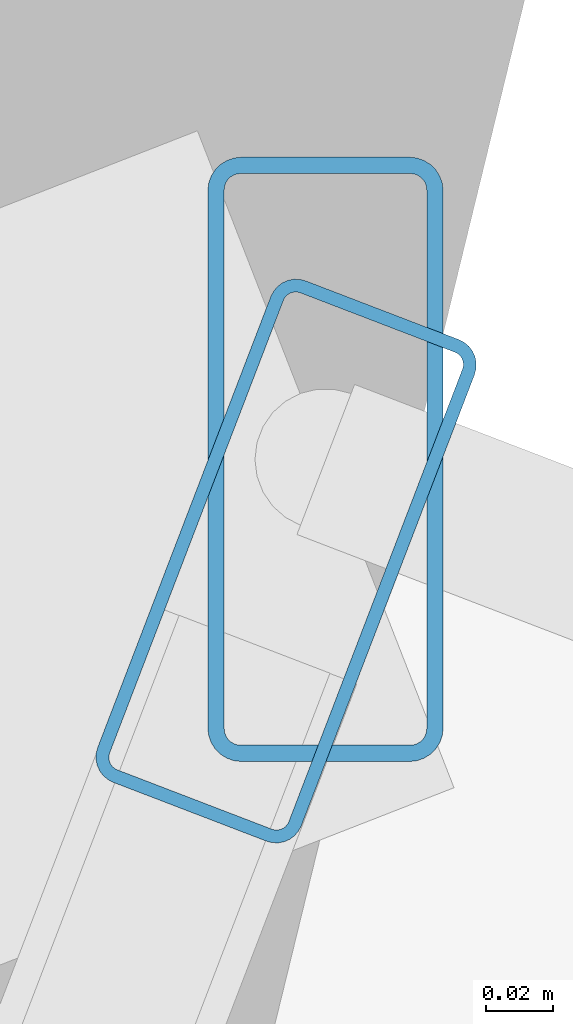
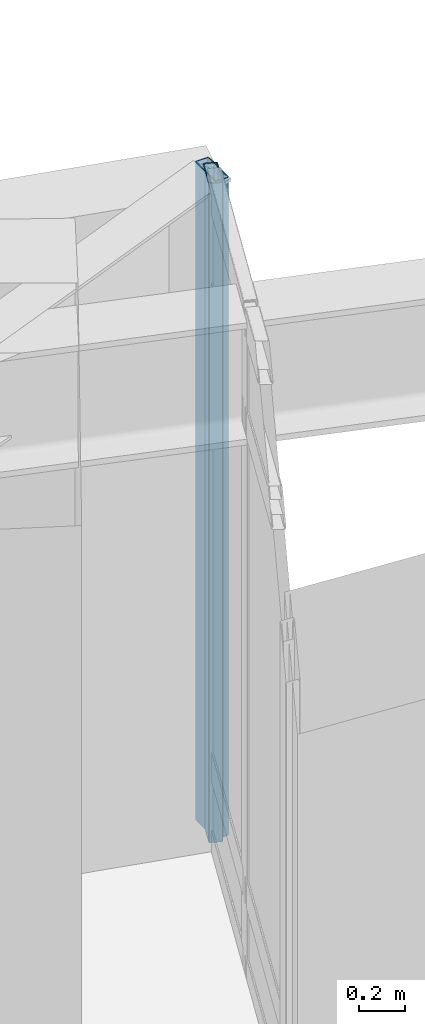
# One storey, part 4 of 12: 2 members, 1 element without a shape of its own.
"""IFC4 building model written with IfcOpenShell, lengths in metres."""

from ifc_helpers import new_model, si_unit, direction, frame, origin, origin_2d, place, context, subcontext, project, spatial, hollow_rectangle, extrude, material, layer, layer_set, material_profile, profile_set, type_object, element, aggregate, save


model = new_model("IFC4")

# Units and contexts
model_context = context("Model", 3, precision=1e-05, world=origin(), true_north=direction((0.0, 1.0)))
body_context = subcontext(model_context, "Body", "Model", "MODEL_VIEW")
ifc_project = project(units=[si_unit("LENGTHUNIT", "METRE"), si_unit("AREAUNIT", "SQUARE_METRE"), si_unit("VOLUMEUNIT", "CUBIC_METRE"), si_unit("PLANEANGLEUNIT", "RADIAN"), si_unit("MASSUNIT", "GRAM", prefix="KILO")], contexts=[model_context])

# Site, building, storey
site_placement = place(None, origin())
site = spatial("IfcSite", under=ifc_project, at=site_placement, CompositionType="ELEMENT")
building_placement = place(site_placement, origin())
building = spatial("IfcBuilding", under=site, at=building_placement, Name="Ndelora Gate Hotel", CompositionType="ELEMENT")
storey_placement = place(building_placement, frame((0.0, 0.0, 161.0)))
storey = spatial("IfcBuildingStorey", under=building, at=storey_placement, Name="L40", CompositionType="ELEMENT", Elevation=161.0)

# Curtain wall, members
ifc_material_1 = material(Name="Bronze Anodised Unitised Aluminium and Low-E Glass", Category="aluminium")
ifc_layer = layer(ifc_material_1, 0.199951171875)
ifc_layer_set = layer_set([ifc_layer], Name="Bronze Anodised Unitised Aluminium and Low-E Glass")
curtain_wall_type = type_object("IfcCurtainWallType", Name="CW-SYS-3", PredefinedType="NOTDEFINED", material=ifc_layer_set)
curtain_wall_placement = place(storey_placement, origin())
curtain_wall = element("IfcCurtainWall", 1, at=curtain_wall_placement, inside=storey, type_object=curtain_wall_type, Name="L40 Sky-Garden Loggia Side Curtain Wall CW3-2", PredefinedType="NOTDEFINED")
ifc_material_2 = material(Name="Bronze Anodised Aluminium 6063-T6", Category="aluminium")
ifc_material_profile_1 = material_profile(ifc_material_2, hollow_rectangle(XDim=0.06494140625, YDim=0.159912109375, WallThickness=0.00390625, InnerFilletRadius=0.00390625, OuterFilletRadius=0.008056640625, at=origin_2d()), Name="ALU 160x65x4")
ifc_profile_set_1 = profile_set([ifc_material_profile_1], Name="Bronze Anodised Aluminium 6063-T6")
member_type_1 = type_object("IfcMemberType", Name="MB-CW-MUL150", PredefinedType="MULLION", material=ifc_profile_set_1)
member_1_placement = place(storey_placement, frame((1.088134765625, 17.34521484375, -0.00390625), z_axis=(0.0, 0.0, 1.0), x_axis=(0.933577378035, -0.35837589096, 0.0)))
member_1 = element("IfcMember", 2, at=member_1_placement, type_object=member_type_1, Name="CW3 mullion 1", PredefinedType="MULLION", context=body_context, shape_type="SweptSolid", body=[
    extrude(hollow_rectangle(XDim=0.06494140625, YDim=0.159912109375, WallThickness=0.00390625, InnerFilletRadius=0.00390625, OuterFilletRadius=0.008056640625, at=origin_2d()), origin(), (0.0, 0.0, 1.0), 3.5078125),
])
ifc_material_profile_2 = material_profile(ifc_material_2, hollow_rectangle(XDim=0.070068359375, YDim=0.179931640625, WallThickness=0.0048828125, InnerFilletRadius=0.0048828125, OuterFilletRadius=0.010009765625, at=origin_2d()), Name="ALU 180x70x5")
ifc_profile_set_2 = profile_set([ifc_material_profile_2], Name="Bronze Anodised Aluminium 6063-T6")
member_type_2 = type_object("IfcMemberType", Name="MB-CW-MUL180", PredefinedType="MULLION", material=ifc_profile_set_2)
member_2_placement = place(storey_placement, frame((1.099853515625, 17.37548828125, 0.0), z_axis=(0.0, 0.0, 1.0), x_axis=(1.0, 0.0, 0.0)))
member_2 = element("IfcMember", 3, at=member_2_placement, type_object=member_type_2, Name="L40 Sky-Garden Loggia Corner Mullion Post 2", PredefinedType="MULLION", context=body_context, shape_type="SweptSolid", body=[
    extrude(hollow_rectangle(XDim=0.070068359375, YDim=0.179931640625, WallThickness=0.0048828125, InnerFilletRadius=0.0048828125, OuterFilletRadius=0.010009765625, at=origin_2d()), origin(), (0.0, 0.0, 1.0), 3.5),
])
aggregate(curtain_wall, [member_1, member_2])

save(model, "model.ifc")
